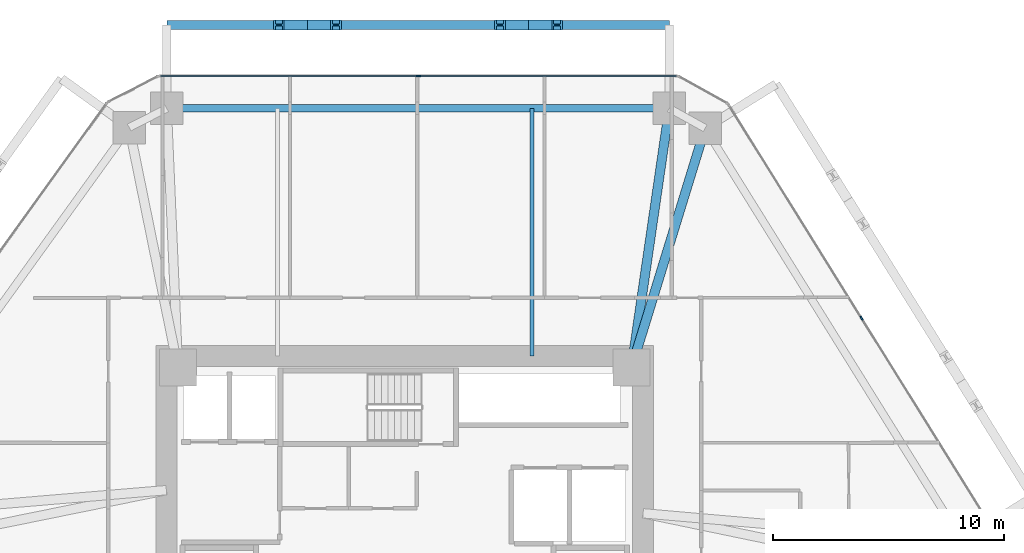
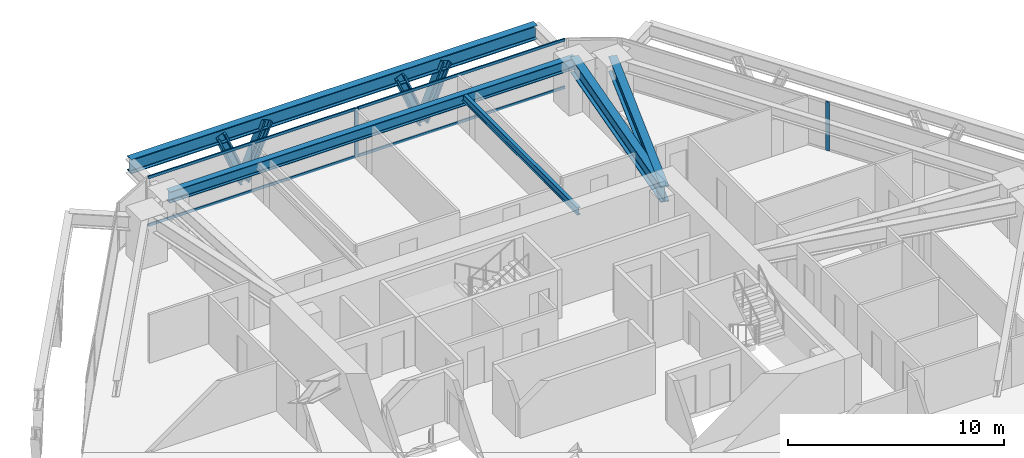
# One storey, part 8 of 15: 10 members, 5 beams, 2 elements without a shape of their own.
"""IFC4 building model written with IfcOpenShell, lengths in metres."""

from ifc_helpers import new_model, si_unit, direction, frame, origin, origin_2d, place, context, subcontext, project, spatial, rectangle, i_section, extrude, source, transform, mapped, material, layer, layer_set, material_profile, profile_set, type_object, type_shapes, element, aggregate, save


model = new_model("IFC4")

# Units and contexts
model_context = context("Model", 3, precision=1e-05, world=origin(), true_north=direction((0.0, 1.0)))
body_context = subcontext(model_context, "Body", "Model", "MODEL_VIEW")
ifc_project = project(units=[si_unit("LENGTHUNIT", "METRE"), si_unit("AREAUNIT", "SQUARE_METRE"), si_unit("VOLUMEUNIT", "CUBIC_METRE"), si_unit("PLANEANGLEUNIT", "RADIAN"), si_unit("MASSUNIT", "GRAM", prefix="KILO")], contexts=[model_context])

# Site, building, storey
site_placement = place(None, origin())
site = spatial("IfcSite", under=ifc_project, at=site_placement, CompositionType="ELEMENT")
building_placement = place(site_placement, origin())
building = spatial("IfcBuilding", under=site, at=building_placement, Name="Durnholm Broadcast Tower", CompositionType="ELEMENT")
storey_placement = place(building_placement, frame((0.0, 0.0, 75.300048828125)))
storey = spatial("IfcBuildingStorey", under=building, at=storey_placement, Name="L19", CompositionType="ELEMENT", Elevation=75.300048828125)

# Beams
ifc_material_1 = material(Name="Steel ASTM A992 Grade 50", Category="steel")
ifc_material_profile_1 = material_profile(ifc_material_1, i_section(OverallWidth=0.3291015625, OverallDepth=0.635009765625, WebThickness=0.017822265625, FlangeThickness=0.031005859375, FilletRadius=0.02783203125, at=origin_2d()), Name="W24X162")
ifc_profile_set_1 = profile_set([ifc_material_profile_1], Name="Steel ASTM A992 Grade 50")
beam_type_1 = type_object("IfcBeamType", Name="STL-SP-W24X162", PredefinedType="SPANDREL", material=ifc_profile_set_1)
shared_shape_1 = source(origin(), body_context, "Body", "SweptSolid", [
    extrude(i_section(OverallWidth=0.3291015625, OverallDepth=0.635009765625, WebThickness=0.017822265625, FlangeThickness=0.031005859375, FilletRadius=0.02783203125, at=origin_2d()), origin(), (0.0, 0.0, 1.0), 21.7138671875),
])
type_shapes(beam_type_1, [shared_shape_1])
beam_1_placement = place(storey_placement, frame((-10.28271484375, 19.0, 2.427490234375), z_axis=(1.0, 0.0, 0.0), x_axis=(0.0, 1.0, 0.0)))
element("IfcBeam", 1, at=beam_1_placement, inside=storey, type_object=beam_type_1, Name="L19 perimeter spandrel girder 05", PredefinedType="SPANDREL", context=body_context, shape_type="MappedRepresentation", body=[
    mapped(shared_shape_1, transform((0.0, 0.0, 0.0), x_axis=(1.0, 0.0, 0.0), y_axis=(0.0, 1.0, 0.0), z_axis=(0.0, 0.0, 1.0), scale=1.0)),
])
ifc_material_profile_2 = material_profile(ifc_material_1, i_section(OverallWidth=0.404052734375, OverallDepth=0.885009765625, WebThickness=0.0244140625, FlangeThickness=0.0439453125, FilletRadius=0.03564453125, at=origin_2d()), Name="W33X291")
ifc_profile_set_2 = profile_set([ifc_material_profile_2], Name="Steel ASTM A992 Grade 50")
beam_type_2 = type_object("IfcBeamType", Name="STL-GR-W33X291", PredefinedType="USERDEFINED", material=ifc_profile_set_2)
shared_shape_2 = source(origin(), body_context, "Body", "SweptSolid", [
    extrude(i_section(OverallWidth=0.404052734375, OverallDepth=0.885009765625, WebThickness=0.0244140625, FlangeThickness=0.0439453125, FilletRadius=0.03564453125, at=origin_2d()), origin(), (0.0, 0.0, 1.0), 11.318115234375),
])
beam_2_placement = place(storey_placement, frame((9.800048828125, 7.800048828125, 2.302490234375), z_axis=(0.144114595679, 0.989561005352, 0.0), x_axis=(-0.989561005352, 0.144114595679, 0.0)))
element("IfcBeam", 2, at=beam_2_placement, inside=storey, type_object=beam_type_2, Name="L19 radial primary floor girder 06", ObjectType="GIRDER", PredefinedType="USERDEFINED", context=body_context, shape_type="MappedRepresentation", body=[
    mapped(shared_shape_2, transform((0.0, 0.0, 0.0), x_axis=(1.0, 0.0, 0.0), y_axis=(0.0, 1.0, 0.0), z_axis=(0.0, 0.0, 1.0), scale=1.0)),
])
shared_shape_3 = source(origin(), body_context, "Body", "SweptSolid", [
    extrude(i_section(OverallWidth=0.404052734375, OverallDepth=0.885009765625, WebThickness=0.0244140625, FlangeThickness=0.0439453125, FilletRadius=0.03564453125, at=origin_2d()), origin(), (0.0, 0.0, 1.0), 10.817138671875),
])
type_shapes(beam_type_2, [shared_shape_2, shared_shape_3])
beam_3_placement = place(storey_placement, frame((9.800048828125, 7.800048828125, 2.302490234375), z_axis=(0.294219068418, 0.955738007918, 0.0), x_axis=(-0.955738007918, 0.294219068418, 0.0)))
element("IfcBeam", 3, at=beam_3_placement, inside=storey, type_object=beam_type_2, Name="L19 radial primary floor girder 07", ObjectType="GIRDER", PredefinedType="USERDEFINED", context=body_context, shape_type="MappedRepresentation", body=[
    mapped(shared_shape_3, transform((0.0, 0.0, 0.0), x_axis=(1.0, 0.0, 0.0), y_axis=(0.0, 1.0, 0.0), z_axis=(0.0, 0.0, 1.0), scale=1.0)),
])
ifc_material_profile_3 = material_profile(ifc_material_1, i_section(OverallWidth=0.180908203125, OverallDepth=0.417236328125, WebThickness=0.010986328125, FlangeThickness=0.018310546875, FilletRadius=0.01904296875, at=origin_2d()), Name="W16X57")
ifc_profile_set_3 = profile_set([ifc_material_profile_3], Name="Steel ASTM A992 Grade 50")
beam_type_3 = type_object("IfcBeamType", Name="STL-BJ-W16X57", PredefinedType="JOIST", material=ifc_profile_set_3)
shared_shape_4 = source(origin(), body_context, "Body", "SweptSolid", [
    extrude(i_section(OverallWidth=0.180908203125, OverallDepth=0.417236328125, WebThickness=0.010986328125, FlangeThickness=0.018310546875, FilletRadius=0.01904296875, at=origin_2d()), origin(), (0.0, 0.0, 1.0), 10.699951171875),
])
type_shapes(beam_type_3, [shared_shape_4])
beam_4_placement = place(storey_placement, frame((5.5, 8.300048828125, 2.5361328125), z_axis=(0.0, 1.0, 0.0), x_axis=(-1.0, 0.0, 0.0)))
element("IfcBeam", 4, at=beam_4_placement, inside=storey, type_object=beam_type_3, Name="L19 secondary floor joist 4.2", PredefinedType="JOIST", context=body_context, shape_type="MappedRepresentation", body=[
    mapped(shared_shape_4, transform((0.0, 0.0, 0.0), x_axis=(1.0, 0.0, 0.0), y_axis=(0.0, 1.0, 0.0), z_axis=(0.0, 0.0, 1.0), scale=1.0)),
])
ifc_material_profile_4 = material_profile(ifc_material_1, i_section(OverallWidth=0.385009765625, OverallDepth=0.802978515625, WebThickness=0.023681640625, FlangeThickness=0.0419921875, FilletRadius=0.032958984375, at=origin_2d()), Name="W30X261")
ifc_profile_set_4 = profile_set([ifc_material_profile_4], Name="Steel ASTM A992 Grade 50")
beam_type_4 = type_object("IfcBeamType", Name="BM-EXO-TIE", PredefinedType="USERDEFINED", material=ifc_profile_set_4)
shared_shape_5 = source(origin(), body_context, "Body", "SweptSolid", [
    extrude(i_section(OverallWidth=0.385009765625, OverallDepth=0.802978515625, WebThickness=0.023681640625, FlangeThickness=0.0419921875, FilletRadius=0.032958984375, at=origin_2d()), origin(), (0.0, 0.0, 1.0), 21.7138671875),
])
type_shapes(beam_type_4, [shared_shape_5])
beam_5_placement = place(storey_placement, frame((11.43115234375, 22.60009765625, 2.008544921875), z_axis=(-1.0, 0.0, 0.0), x_axis=(0.0, -1.0, 0.0)))
element("IfcBeam", 5, at=beam_5_placement, inside=storey, type_object=beam_type_4, Name="L19 exoskeleton collector spandrel F4", PredefinedType="SPANDREL", context=body_context, shape_type="MappedRepresentation", body=[
    mapped(shared_shape_5, transform((0.0, 0.0, 0.0), x_axis=(1.0, 0.0, 0.0), y_axis=(0.0, 1.0, 0.0), z_axis=(0.0, 0.0, 1.0), scale=1.0)),
])

# Members
ifc_material_2 = material(Name="Steel ASTM A913 Grade 65", Category="steel")
ifc_material_profile_5 = material_profile(ifc_material_2, i_section(OverallWidth=0.43212890625, OverallDepth=0.497802734375, WebThickness=0.0556640625, FlangeThickness=0.0888671875, FilletRadius=0.030517578125, at=origin_2d()), Name="W14X500")
ifc_profile_set_5 = profile_set([ifc_material_profile_5], Name="Steel ASTM A913 Grade 65")
member_type_1 = type_object("IfcMemberType", Name="STL-DG-W14X500", PredefinedType="BRACE", material=ifc_profile_set_5)
shared_shape_6 = source(origin(), body_context, "Body", "SweptSolid", [
    extrude(i_section(OverallWidth=0.43212890625, OverallDepth=0.497802734375, WebThickness=0.0556640625, FlangeThickness=0.0888671875, FilletRadius=0.030517578125, at=origin_2d()), origin(), (0.0, 0.0, 1.0), 3.243896484375),
])
type_shapes(member_type_1, [shared_shape_6])
for number, where, z_axis, x_axis, name in (
    (6, (5.351318359375, 22.60009765625, -0.991455078125), (0.380378804119, 0.0, 0.924830776616), (0.0, 1.0, 0.0), "L19 stand-off diagrid brace F4.D1.1"),
    (7, (5.351318359375, 22.60009765625, -0.991455078125), (-0.380378804119, 0.0, 0.924830776616), (0.0, -1.0, 0.0), "L19 stand-off diagrid brace F4.D1.2"),
    (8, (-4.202880859375, 22.60009765625, -0.991455078125), (0.380378804119, 0.0, 0.924830776616), (0.0, 1.0, 0.0), "L19 stand-off diagrid brace F4.D2.1"),
    (9, (-4.202880859375, 22.60009765625, -0.991455078125), (-0.380378804119, 0.0, 0.924830776616), (0.0, -1.0, 0.0), "L19 stand-off diagrid brace F4.D2.2"),
):
    element("IfcMember", number, at=place(storey_placement, frame(where, z_axis=z_axis, x_axis=x_axis)), inside=storey, type_object=member_type_1, Name=name, PredefinedType="BRACE", context=body_context, shape_type="MappedRepresentation", body=[
        mapped(shared_shape_6, transform((0.0, 0.0, 0.0), x_axis=(1.0, 0.0, 0.0), y_axis=(0.0, 1.0, 0.0), z_axis=(0.0, 0.0, 1.0), scale=1.0)),
    ])

# Curtain wall, members
ifc_material_3 = material(Name="Aluminium and Solar Control IGU", Category="aluminium")
ifc_layer = layer(ifc_material_3, 0.18994140625)
ifc_layer_set = layer_set([ifc_layer], Name="Aluminium and Solar Control IGU")
curtain_wall_type = type_object("IfcCurtainWallType", Name="CW-SYS-3", PredefinedType="NOTDEFINED", material=ifc_layer_set)
curtain_wall_1_placement = place(storey_placement, origin())
curtain_wall_1 = element("IfcCurtainWall", 10, at=curtain_wall_1_placement, inside=storey, type_object=curtain_wall_type, Name="L19 curtain wall CW-Z12-VIS CW-L19-F04", PredefinedType="NOTDEFINED")
ifc_material_4 = material(Name="Aluminium 6063-T6", Category="aluminium")
ifc_material_profile_6 = material_profile(ifc_material_4, rectangle(XDim=0.070068359375, YDim=0.14990234375, at=origin_2d()), Name="CWT70X150")
ifc_profile_set_6 = profile_set([ifc_material_profile_6], Name="Aluminium 6063-T6")
member_type_2 = type_object("IfcMemberType", Name="CW-SYS-3-TRN", PredefinedType="USERDEFINED", material=ifc_profile_set_6)
shared_shape_7 = source(origin(), body_context, "Body", "SweptSolid", [
    extrude(rectangle(XDim=0.070068359375, YDim=0.14990234375, at=origin_2d()), origin(), (0.0, 0.0, 1.0), 11.10205078125),
])
type_shapes(member_type_2, [shared_shape_7])
member_1_placement = place(storey_placement, frame((-10.55029296875, 20.39990234375, 0.034912109375), z_axis=(1.0, 0.0, 0.0), x_axis=(0.0, 1.0, 0.0)))
member_1 = element("IfcMember", 11, at=member_1_placement, type_object=member_type_2, Name="CW-Z12-VIS transom 1.1", ObjectType="TRANSOM", PredefinedType="USERDEFINED", context=body_context, shape_type="MappedRepresentation", body=[
    mapped(shared_shape_7, transform((0.0, 0.0, 0.0), x_axis=(1.0, 0.0, 0.0), y_axis=(0.0, 1.0, 0.0), z_axis=(0.0, 0.0, 1.0), scale=1.0)),
])
member_2_placement = place(storey_placement, frame((-10.55029296875, 20.39990234375, 2.724853515625), z_axis=(1.0, 0.0, 0.0), x_axis=(0.0, 1.0, 0.0)))
member_2 = element("IfcMember", 12, at=member_2_placement, type_object=member_type_2, Name="CW-Z12-VIS transom 1.2", ObjectType="TRANSOM", PredefinedType="USERDEFINED", context=body_context, shape_type="MappedRepresentation", body=[
    mapped(shared_shape_7, transform((0.0, 0.0, 0.0), x_axis=(1.0, 0.0, 0.0), y_axis=(0.0, 1.0, 0.0), z_axis=(0.0, 0.0, 1.0), scale=1.0)),
])
member_3_placement = place(storey_placement, frame((0.621826171875, 20.39990234375, 0.034912109375), z_axis=(1.0, 0.0, 0.0), x_axis=(0.0, 1.0, 0.0)))
member_3 = element("IfcMember", 13, at=member_3_placement, type_object=member_type_2, Name="CW-Z12-VIS transom 2.1", ObjectType="TRANSOM", PredefinedType="USERDEFINED", context=body_context, shape_type="MappedRepresentation", body=[
    mapped(shared_shape_7, transform((0.0, 0.0, 0.0), x_axis=(1.0, 0.0, 0.0), y_axis=(0.0, 1.0, 0.0), z_axis=(0.0, 0.0, 1.0), scale=1.0)),
])
member_4_placement = place(storey_placement, frame((0.621826171875, 20.39990234375, 2.724853515625), z_axis=(1.0, 0.0, 0.0), x_axis=(0.0, 1.0, 0.0)))
member_4 = element("IfcMember", 14, at=member_4_placement, type_object=member_type_2, Name="CW-Z12-VIS transom 2.2", ObjectType="TRANSOM", PredefinedType="USERDEFINED", context=body_context, shape_type="MappedRepresentation", body=[
    mapped(shared_shape_7, transform((0.0, 0.0, 0.0), x_axis=(1.0, 0.0, 0.0), y_axis=(0.0, 1.0, 0.0), z_axis=(0.0, 0.0, 1.0), scale=1.0)),
])
ifc_material_profile_7 = material_profile(ifc_material_4, rectangle(XDim=0.070068359375, YDim=0.18994140625, at=origin_2d()), Name="CWM70X190")
ifc_profile_set_7 = profile_set([ifc_material_profile_7], Name="Aluminium 6063-T6")
member_type_3 = type_object("IfcMemberType", Name="CW-SYS-3-MUL", PredefinedType="MULLION", material=ifc_profile_set_7)
shared_shape_8 = source(origin(), body_context, "Body", "SweptSolid", [
    extrude(rectangle(XDim=0.070068359375, YDim=0.18994140625, at=origin_2d()), origin(), (0.0, 0.0, 1.0), 2.760009765625),
])
type_shapes(member_type_3, [shared_shape_8])
member_5_placement = place(storey_placement, frame((0.5869140625, 20.39990234375, 0.0), z_axis=(0.0, 0.0, 1.0), x_axis=(0.0, 1.0, 0.0)))
member_5 = element("IfcMember", 15, at=member_5_placement, type_object=member_type_3, Name="CW-Z12-VIS mullion 2", PredefinedType="MULLION", context=body_context, shape_type="MappedRepresentation", body=[
    mapped(shared_shape_8, transform((0.0, 0.0, 0.0), x_axis=(1.0, 0.0, 0.0), y_axis=(0.0, 1.0, 0.0), z_axis=(0.0, 0.0, 1.0), scale=1.0)),
])
aggregate(curtain_wall_1, [member_5, member_1, member_2, member_3, member_4])

# Curtain wall, member
curtain_wall_2_placement = place(storey_placement, origin())
curtain_wall_2 = element("IfcCurtainWall", 16, at=curtain_wall_2_placement, inside=storey, type_object=curtain_wall_type, Name="L19 curtain wall CW-Z12-VIS CW-L19-F06", PredefinedType="NOTDEFINED")
member_6_placement = place(storey_placement, frame((19.741943359375, 9.93212890625, 0.0), z_axis=(0.0, 0.0, 1.0), x_axis=(0.848875785503, 0.528592376777, 0.0)))
member_6 = element("IfcMember", 17, at=member_6_placement, type_object=member_type_3, Name="CW-Z12-VIS mullion 2", PredefinedType="MULLION", context=body_context, shape_type="MappedRepresentation", body=[
    mapped(shared_shape_8, transform((0.0, 0.0, 0.0), x_axis=(1.0, 0.0, 0.0), y_axis=(0.0, 1.0, 0.0), z_axis=(0.0, 0.0, 1.0), scale=1.0)),
])
aggregate(curtain_wall_2, [member_6])

save(model, "model.ifc")
